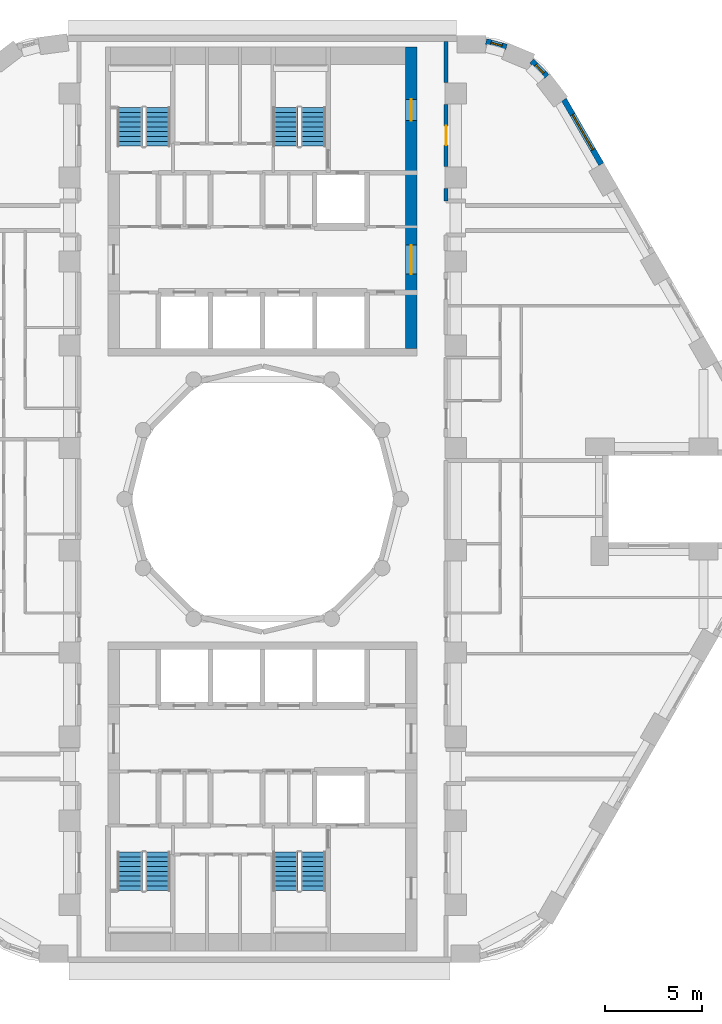
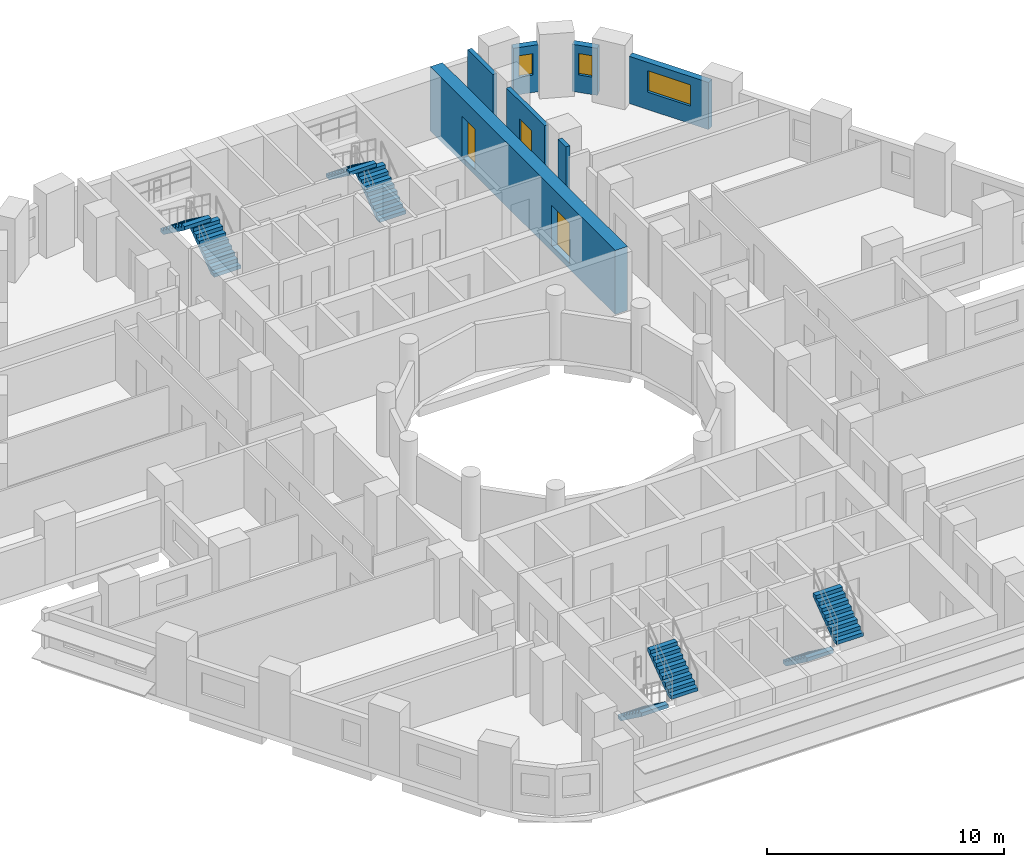
# One storey, part 9 of 13: 8 stair flights, 7 walls, 3 doors, 3 windows, 6 openings, 4 elements without a shape of their own.
"""IFC4 building model written with IfcOpenShell, lengths in metres."""

from ifc_helpers import new_model, si_unit, direction, frame, frame_2d, origin, place, context, subcontext, project, spatial, polyline, rectangle, outline, extrude, material, layer, layer_set, type_object, element, fill, aggregate, save


model = new_model("IFC4")

# Units and contexts
model_context = context("Model", 3, precision=1e-05, world=origin(), true_north=direction((0.0, 1.0)))
body_context = subcontext(model_context, "Body", "Model", "MODEL_VIEW")
ifc_project = project(units=[si_unit("LENGTHUNIT", "METRE"), si_unit("AREAUNIT", "SQUARE_METRE"), si_unit("VOLUMEUNIT", "CUBIC_METRE"), si_unit("PLANEANGLEUNIT", "RADIAN"), si_unit("MASSUNIT", "GRAM", prefix="KILO")], contexts=[model_context])

# Site, building, storey
site_placement = place(None, origin())
site = spatial("IfcSite", under=ifc_project, at=site_placement, CompositionType="ELEMENT")
building_placement = place(site_placement, origin())
building = spatial("IfcBuilding", under=site, at=building_placement, Name="Nakaniwa Court", CompositionType="ELEMENT")
storey_placement = place(building_placement, frame((0.0, 0.0, 48.0)))
storey = spatial("IfcBuildingStorey", under=building, at=storey_placement, Name="L12", CompositionType="ELEMENT", Elevation=48.0)

# Wall
ifc_material_1 = material(Name="Acoustic double stud partition")
ifc_layer_1 = layer(ifc_material_1, 0.199951171875)
ifc_layer_set_1 = layer_set([ifc_layer_1], Name="Acoustic double stud partition")
wall_type_1 = type_object("IfcWallType", Name="Acoustic double stud partition 200", PredefinedType="PARTITIONING", material=ifc_layer_set_1)
wall_1_placement = place(storey_placement, frame((89.5, 95.422119140625, 0.0), z_axis=(0.0, 0.0, 1.0), x_axis=(0.0, 1.0, 0.0)))
element("IfcWall", 1, at=wall_1_placement, inside=storey, type_object=wall_type_1, Name="Partition PW-082", PredefinedType="PARTITIONING", context=body_context, shape_type="SweptSolid", body=[
    extrude(rectangle(XDim=0.660888671875, YDim=0.199951171875, at=frame_2d((0.33056640625, 0.0))), origin(), (0.0, 0.0, 1.0), 3.02490234375),
])

# Wall, opening, door
wall_2_placement = place(storey_placement, frame((89.5, 100.43310546875, 0.0), z_axis=(0.0, 0.0, 1.0), x_axis=(0.0, -1.0, 0.0)))
wall_2 = element("IfcWall", 2, at=wall_2_placement, inside=storey, type_object=wall_type_1, Name="Partition PW-083", PredefinedType="PARTITIONING", context=body_context, shape_type="SweptSolid", body=[
    extrude(rectangle(XDim=3.216064453125, YDim=0.199951171875, at=frame_2d((1.60791015625, 0.0))), origin(), (0.0, 0.0, 1.0), 3.02490234375),
])
opening_1_placement = place(wall_2_placement, frame((1.10791015625, 0.0, 0.0)))
opening_1 = element("IfcOpeningElement", 3, at=opening_1_placement, cuts=wall_2, Name="Opening D-02-02", PredefinedType="OPENING", context=body_context, shape_type="SweptSolid", body=[
    extrude(rectangle(XDim=1.0, YDim=2.10009765625, at=frame_2d((0.5, 1.050048828125))), frame((0.0, 0.10986328125, 0.0), z_axis=(0.0, -1.0, 0.0), x_axis=(1.0, 0.0, 0.0)), (0.0, 0.0, 1.0), 0.219970703125),
])
ifc_material_2 = material(Name="Solid core timber door set, black veneer", Category="wood")
door_type_1 = type_object("IfcDoorType", Name="Internal door 1000", OperationType="NOTDEFINED", PredefinedType="DOOR", material=ifc_material_2)
door_1_placement = place(opening_1_placement, origin())
door_1 = element("IfcDoor", 4, at=door_1_placement, inside=storey, type_object=door_type_1, Name="Door D-02-02 L12-042", OperationType="SINGLE_SWING_LEFT", OverallHeight=2.10009765625, OverallWidth=1.0, PredefinedType="DOOR", context=body_context, shape_type="SweptSolid", body=[
    extrude(rectangle(XDim=1.0, YDim=2.10009765625, at=frame_2d((0.5, 1.050048828125))), frame((0.0, 0.02490234375, 0.0), z_axis=(0.0, -1.0, 0.0), x_axis=(1.0, 0.0, 0.0)), (0.0, 0.0, 1.0), 0.050048828125),
])
fill(opening_1, door_1)

# Wall
wall_3_placement = place(storey_placement, frame((89.5, 101.56689453125, 0.0), z_axis=(0.0, 0.0, 1.0), x_axis=(0.0, 1.0, 0.0)))
element("IfcWall", 5, at=wall_3_placement, inside=storey, type_object=wall_type_1, Name="Partition PW-084", PredefinedType="PARTITIONING", context=body_context, shape_type="SweptSolid", body=[
    extrude(rectangle(XDim=2.133056640625, YDim=0.199951171875, at=frame_2d((1.06640625, 0.0))), origin(), (0.0, 0.0, 1.0), 3.02490234375),
])

# Wall, opening, window
ifc_material_3 = material(Name="Charcoal ceramic cladding")
ifc_layer_2 = layer(ifc_material_3, 0.02, Name="Ceramic cladding")
ifc_material_4 = material(Name="Ventilated air cavity")
ifc_layer_3 = layer(ifc_material_4, 0.04, ventilated=True, Name="Ventilated cavity")
ifc_material_5 = material(Name="Mineral wool insulation")
ifc_layer_4 = layer(ifc_material_5, 0.1, Name="Insulation")
ifc_material_6 = material(Name="Cement bonded sheathing board")
ifc_layer_5 = layer(ifc_material_6, 0.012, Name="Sheathing")
ifc_material_7 = material(Name="Cold-formed galvanised stud frame with mineral wool infill")
ifc_layer_6 = layer(ifc_material_7, 0.1, Name="Stud frame")
ifc_material_8 = material(Name="Fire-rated gypsum plasterboard lining")
ifc_layer_7 = layer(ifc_material_8, 0.028, Name="Lining")
ifc_layer_set_2 = layer_set([ifc_layer_2, ifc_layer_3, ifc_layer_4, ifc_layer_5, ifc_layer_6, ifc_layer_7], Name="Charcoal ceramic faced external wall system")
wall_type_2 = type_object("IfcWallType", Name="Black ceramic faced external wall 300", PredefinedType="SOLIDWALL", material=ifc_layer_set_2)
wall_4_placement = place(storey_placement, frame((97.5322265625, 97.3330078125, 0.0), z_axis=(0.0, 0.0, 1.0), x_axis=(-0.499948341072, 0.866055227026, 0.0)))
wall_4 = element("IfcWall", 6, at=wall_4_placement, inside=storey, type_object=wall_type_2, Name="L12 external wall 05", PredefinedType="SOLIDWALL", context=body_context, shape_type="SweptSolid", body=[
    extrude(rectangle(XDim=3.8671875, YDim=0.300048828125, at=frame_2d((1.93359375, 0.0))), origin(), (0.0, 0.0, 1.0), 2.425048828125),
])
opening_2_placement = place(wall_4_placement, frame((0.872314453125, 0.0, 0.89990234375)))
opening_2 = element("IfcOpeningElement", 7, at=opening_2_placement, cuts=wall_4, Name="Opening W7.07", PredefinedType="OPENING", context=body_context, shape_type="SweptSolid", body=[
    extrude(rectangle(XDim=2.10009765625, YDim=1.10009765625, at=frame_2d((1.050048828125, 0.550048828125))), frame((0.0, 0.159912109375, 0.0), z_axis=(0.0, -1.0, 0.0), x_axis=(1.0, 0.0, 0.0)), (0.0, 0.0, 1.0), 0.320068359375),
])
ifc_material_9 = material(Name="Black anodised aluminium frame with dark low-E laminated double glazing", Category="aluminium")
window_type_1 = type_object("IfcWindowType", Name="Dark glass window 2100x1100 sill 900", PartitioningType="SINGLE_PANEL", PredefinedType="WINDOW", material=ifc_material_9)
window_1_placement = place(opening_2_placement, origin())
window_1 = element("IfcWindow", 8, at=window_1_placement, inside=storey, type_object=window_type_1, Name="L12 habitable room window 05-0", OverallHeight=1.10009765625, OverallWidth=2.10009765625, PartitioningType="SINGLE_PANEL", PredefinedType="WINDOW", context=body_context, shape_type="SweptSolid", body=[
    extrude(rectangle(XDim=2.10009765625, YDim=1.10009765625, at=frame_2d((1.050048828125, 0.550048828125))), frame((0.0, 0.030029296875, 0.0), z_axis=(0.0, -1.0, 0.0), x_axis=(1.0, 0.0, 0.0)), (0.0, 0.0, 1.0), 0.06005859375),
])
fill(opening_2, window_1)

wall_5_placement = place(storey_placement, frame((94.712646484375, 101.8828125, 0.0), z_axis=(0.0, 0.0, 1.0), x_axis=(-0.696138968055, 0.717907053285, 0.0)))
wall_5 = element("IfcWall", 9, at=wall_5_placement, inside=storey, type_object=wall_type_2, Name="L12 external wall 06", PredefinedType="SOLIDWALL", context=body_context, shape_type="SweptSolid", body=[
    extrude(rectangle(XDim=1.1103515625, YDim=0.300048828125, at=frame_2d((0.55517578125, 0.0))), origin(), (0.0, 0.0, 1.0), 2.425048828125),
])
opening_3_placement = place(wall_5_placement, frame((0.230712890625, 0.0, 0.89990234375)))
opening_3 = element("IfcOpeningElement", 10, at=opening_3_placement, cuts=wall_5, Name="Opening W8.08", PredefinedType="OPENING", context=body_context, shape_type="SweptSolid", body=[
    extrude(rectangle(XDim=0.60009765625, YDim=1.10009765625, at=frame_2d((0.300048828125, 0.550048828125))), frame((0.0, 0.159912109375, 0.0), z_axis=(0.0, -1.0, 0.0), x_axis=(1.0, 0.0, 0.0)), (0.0, 0.0, 1.0), 0.320068359375),
])
window_type_2 = type_object("IfcWindowType", Name="Dark glass window 600x1100 sill 900", PartitioningType="SINGLE_PANEL", PredefinedType="WINDOW", material=ifc_material_9)
window_2_placement = place(opening_3_placement, origin())
window_2 = element("IfcWindow", 11, at=window_2_placement, inside=storey, type_object=window_type_2, Name="L12 habitable room window 06-0", OverallHeight=1.10009765625, OverallWidth=0.60009765625, PartitioningType="SINGLE_PANEL", PredefinedType="WINDOW", context=body_context, shape_type="SweptSolid", body=[
    extrude(rectangle(XDim=0.60009765625, YDim=1.10009765625, at=frame_2d((0.300048828125, 0.550048828125))), frame((0.0, 0.030029296875, 0.0), z_axis=(0.0, -1.0, 0.0), x_axis=(1.0, 0.0, 0.0)), (0.0, 0.0, 1.0), 0.06005859375),
])
fill(opening_3, window_2)

wall_6_placement = place(storey_placement, frame((92.62548828125, 103.406982421875, 0.0), z_axis=(0.0, 0.0, 1.0), x_axis=(-0.96522637192, 0.261415475728, 0.0)))
wall_6 = element("IfcWall", 12, at=wall_6_placement, inside=storey, type_object=wall_type_2, Name="L12 external wall 07", PredefinedType="SOLIDWALL", context=body_context, shape_type="SweptSolid", body=[
    extrude(rectangle(XDim=1.0927734375, YDim=0.300048828125, at=frame_2d((0.54638671875, 0.0))), origin(), (0.0, 0.0, 1.0), 2.425048828125),
])
opening_4_placement = place(wall_6_placement, frame((0.236083984375, 0.0, 0.89990234375)))
opening_4 = element("IfcOpeningElement", 13, at=opening_4_placement, cuts=wall_6, Name="Opening W8.09", PredefinedType="OPENING", context=body_context, shape_type="SweptSolid", body=[
    extrude(rectangle(XDim=0.60009765625, YDim=1.10009765625, at=frame_2d((0.300048828125, 0.550048828125))), frame((0.0, 0.159912109375, 0.0), z_axis=(0.0, -1.0, 0.0), x_axis=(1.0, 0.0, 0.0)), (0.0, 0.0, 1.0), 0.320068359375),
])
window_3_placement = place(opening_4_placement, origin())
window_3 = element("IfcWindow", 14, at=window_3_placement, inside=storey, type_object=window_type_2, Name="L12 habitable room window 07-0", OverallHeight=1.10009765625, OverallWidth=0.60009765625, PartitioningType="SINGLE_PANEL", PredefinedType="WINDOW", context=body_context, shape_type="SweptSolid", body=[
    extrude(rectangle(XDim=0.60009765625, YDim=1.10009765625, at=frame_2d((0.300048828125, 0.550048828125))), frame((0.0, 0.030029296875, 0.0), z_axis=(0.0, -1.0, 0.0), x_axis=(1.0, 0.0, 0.0)), (0.0, 0.0, 1.0), 0.06005859375),
])
fill(opening_4, window_3)

# Wall, openings, doors
ifc_material_10 = material(Name="Concrete C100/115", Category="concrete")
ifc_layer_8 = layer(ifc_material_10, 0.60009765625)
ifc_layer_set_3 = layer_set([ifc_layer_8], Name="Concrete C100/115")
wall_type_3 = type_object("IfcWallType", Name="Concrete core side wall 600 C100", PredefinedType="SHEAR", material=ifc_layer_set_3)
wall_7_placement = place(storey_placement, frame((87.699951171875, 103.39990234375, -0.27490234375), z_axis=(0.0, 0.0, 1.0), x_axis=(0.0, -1.0, 0.0)))
wall_7 = element("IfcWall", 15, at=wall_7_placement, inside=storey, type_object=wall_type_3, Name="Core wall SW-15", PredefinedType="SHEAR", context=body_context, shape_type="SweptSolid", body=[
    extrude(rectangle(XDim=15.599853515625, YDim=0.60009765625, at=frame_2d((7.7998046875, 0.0))), origin(), (0.0, 0.0, 1.0), 3.2998046875),
])
opening_5_placement = place(wall_7_placement, frame((10.25, 0.0, 0.27490234375)))
opening_5 = element("IfcOpeningElement", 16, at=opening_5_placement, cuts=wall_7, Name="Opening D-07-01", PredefinedType="OPENING", context=body_context, shape_type="SweptSolid", body=[
    extrude(rectangle(XDim=1.5, YDim=2.10009765625, at=frame_2d((0.75, 1.050048828125))), frame((0.0, 0.31005859375, 0.0), z_axis=(0.0, -1.0, 0.0), x_axis=(1.0, 0.0, 0.0)), (0.0, 0.0, 1.0), 0.6201171875),
])
opening_6_placement = place(wall_7_placement, frame((2.699951171875, 0.0, 0.27490234375)))
opening_6 = element("IfcOpeningElement", 17, at=opening_6_placement, cuts=wall_7, Name="Opening D-10-01", PredefinedType="OPENING", context=body_context, shape_type="SweptSolid", body=[
    extrude(rectangle(XDim=1.10009765625, YDim=2.10009765625, at=frame_2d((0.550048828125, 1.050048828125))), frame((0.0, 0.31005859375, 0.0), z_axis=(0.0, -1.0, 0.0), x_axis=(1.0, 0.0, 0.0)), (0.0, 0.0, 1.0), 0.6201171875),
])
ifc_material_11 = material(Name="Fire rated steel door set", Category="steel")
door_type_2 = type_object("IfcDoorType", Name="Firefighting lobby door 1100", OperationType="NOTDEFINED", PredefinedType="DOOR", material=ifc_material_11)
door_2_placement = place(opening_6_placement, origin())
door_2 = element("IfcDoor", 18, at=door_2_placement, inside=storey, type_object=door_type_2, Name="Door D-10-01 L12-062", OperationType="SINGLE_SWING_LEFT", OverallHeight=2.10009765625, OverallWidth=1.10009765625, PredefinedType="DOOR", context=body_context, shape_type="SweptSolid", body=[
    extrude(rectangle(XDim=1.10009765625, YDim=2.10009765625, at=frame_2d((0.550048828125, 1.050048828125))), frame((0.0, 0.02490234375, 0.0), z_axis=(0.0, -1.0, 0.0), x_axis=(1.0, 0.0, 0.0)), (0.0, 0.0, 1.0), 0.050048828125),
])
fill(opening_6, door_2)
ifc_material_12 = material(Name="Glazed fire rated steel double door set", Category="steel")
door_type_3 = type_object("IfcDoorType", Name="Lobby double door 1500", OperationType="NOTDEFINED", PredefinedType="DOOR", material=ifc_material_12)
door_3_placement = place(opening_5_placement, origin())
door_3 = element("IfcDoor", 19, at=door_3_placement, inside=storey, type_object=door_type_3, Name="Door D-07-01 L12-060", OperationType="DOUBLE_DOOR_SINGLE_SWING", OverallHeight=2.10009765625, OverallWidth=1.5, PredefinedType="DOOR", context=body_context, shape_type="SweptSolid", body=[
    extrude(rectangle(XDim=1.5, YDim=2.10009765625, at=frame_2d((0.75, 1.050048828125))), frame((0.0, 0.02490234375, 0.0), z_axis=(0.0, -1.0, 0.0), x_axis=(1.0, 0.0, 0.0)), (0.0, 0.0, 1.0), 0.050048828125),
])
fill(opening_5, door_3)

# Stair, stair flights
ifc_material_13 = material(Name="Concrete C80/100", Category="concrete")
stair_type = type_object("IfcStairType", Name="Dog leg stair 1300 wide 18 risers", PredefinedType="HALF_TURN_STAIR", material=ifc_material_13)
stair_1_placement = place(storey_placement, origin())
stair_1 = element("IfcStair", 20, at=stair_1_placement, inside=storey, type_object=stair_type, Name="L12 Stair ST1", PredefinedType="HALF_TURN_STAIR")
stair_flight_type = type_object("IfcStairFlightType", Name="Stair flight 1300 wide 9 risers", PredefinedType="STRAIGHT", material=ifc_material_13)
stair_flight_1_placement = place(storey_placement, frame((74.574951171875, 98.27490234375, 0.0), z_axis=(0.0, 0.0, 1.0), x_axis=(0.0, 1.0, 0.0)))
stair_flight_1 = element("IfcStairFlight", 21, at=stair_flight_1_placement, type_object=stair_flight_type, Name="ST1 flight 1", NumberOfRisers=9, NumberOfTreads=8, PredefinedType="STRAIGHT", RiserHeight=0.183333333, TreadLength=0.25, context=body_context, shape_type="SweptSolid", body=[
    extrude(outline(polyline([(0.0, 0.0), (0.0, 0.026123046875), (0.0, 0.052490234375), (0.0, 0.07861328125), (0.0, 0.104736328125), (0.0, 0.130859375), (0.0, 0.1572265625), (0.0, 0.183349609375), (0.25, 0.183349609375), (0.25, 0.36669921875), (0.5, 0.36669921875), (0.5, 0.550048828125), (0.75, 0.550048828125), (0.75, 0.7333984375), (1.0, 0.7333984375), (1.0, 0.916748046875), (1.25, 0.916748046875), (1.25, 1.10009765625), (1.5, 1.10009765625), (1.5, 1.283447265625), (1.75, 1.283447265625), (1.75, 1.466552734375), (2.0, 1.466552734375), (2.0, 1.64990234375), (2.0, 1.59716796875), (2.0, 1.54443359375), (2.0, 1.49169921875), (2.0, 1.43896484375), (2.0, 1.38623046875), (2.0, 1.33349609375), (2.0, 1.28076171875), (0.25341796875, 0.0), (0.0, 0.0)])), frame((0.0, 0.64990234375, 0.0), z_axis=(0.0, -1.0, 0.0), x_axis=(1.0, 0.0, 0.0)), (0.0, 0.0, 1.0), 1.300048828125),
])
stair_flight_2_placement = place(storey_placement, frame((73.125, 100.27490234375, 1.64990234375), z_axis=(0.0, 0.0, 1.0), x_axis=(0.0, -1.0, 0.0)))
stair_flight_2 = element("IfcStairFlight", 22, at=stair_flight_2_placement, type_object=stair_flight_type, Name="ST1 flight 2", NumberOfRisers=9, NumberOfTreads=8, PredefinedType="STRAIGHT", RiserHeight=0.183333333, TreadLength=0.25, context=body_context, shape_type="SweptSolid", body=[
    extrude(outline(polyline([(0.0, 0.0), (0.0, 0.026123046875), (0.0, 0.052490234375), (0.0, 0.07861328125), (0.0, 0.104736328125), (0.0, 0.130859375), (0.0, 0.1572265625), (0.0, 0.183349609375), (0.25, 0.183349609375), (0.25, 0.36669921875), (0.5, 0.36669921875), (0.5, 0.550048828125), (0.75, 0.550048828125), (0.75, 0.7333984375), (1.0, 0.7333984375), (1.0, 0.916748046875), (1.25, 0.916748046875), (1.25, 1.10009765625), (1.5, 1.10009765625), (1.5, 1.283447265625), (1.75, 1.283447265625), (1.75, 1.466552734375), (2.0, 1.466552734375), (2.0, 1.64990234375), (2.0, 1.59716796875), (2.0, 1.54443359375), (2.0, 1.49169921875), (2.0, 1.43896484375), (2.0, 1.38623046875), (2.0, 1.33349609375), (2.0, 1.28076171875), (0.25341796875, 0.0), (0.0, 0.0)])), frame((0.0, 0.64990234375, 0.0), z_axis=(0.0, -1.0, 0.0), x_axis=(1.0, 0.0, 0.0)), (0.0, 0.0, 1.0), 1.300048828125),
])
aggregate(stair_1, [stair_flight_1, stair_flight_2])

stair_2_placement = place(storey_placement, origin())
stair_2 = element("IfcStair", 23, at=stair_2_placement, inside=storey, type_object=stair_type, Name="L12 Stair ST2", PredefinedType="HALF_TURN_STAIR")
stair_flight_3_placement = place(storey_placement, frame((82.625, 98.27490234375, 0.0), z_axis=(0.0, 0.0, 1.0), x_axis=(0.0, 1.0, 0.0)))
stair_flight_3 = element("IfcStairFlight", 24, at=stair_flight_3_placement, type_object=stair_flight_type, Name="ST2 flight 1", NumberOfRisers=9, NumberOfTreads=8, PredefinedType="STRAIGHT", RiserHeight=0.183333333, TreadLength=0.25, context=body_context, shape_type="SweptSolid", body=[
    extrude(outline(polyline([(0.0, 0.0), (0.0, 0.026123046875), (0.0, 0.052490234375), (0.0, 0.07861328125), (0.0, 0.104736328125), (0.0, 0.130859375), (0.0, 0.1572265625), (0.0, 0.183349609375), (0.25, 0.183349609375), (0.25, 0.36669921875), (0.5, 0.36669921875), (0.5, 0.550048828125), (0.75, 0.550048828125), (0.75, 0.7333984375), (1.0, 0.7333984375), (1.0, 0.916748046875), (1.25, 0.916748046875), (1.25, 1.10009765625), (1.5, 1.10009765625), (1.5, 1.283447265625), (1.75, 1.283447265625), (1.75, 1.466552734375), (2.0, 1.466552734375), (2.0, 1.64990234375), (2.0, 1.59716796875), (2.0, 1.54443359375), (2.0, 1.49169921875), (2.0, 1.43896484375), (2.0, 1.38623046875), (2.0, 1.33349609375), (2.0, 1.28076171875), (0.25341796875, 0.0), (0.0, 0.0)])), frame((0.0, 0.64990234375, 0.0), z_axis=(0.0, -1.0, 0.0), x_axis=(1.0, 0.0, 0.0)), (0.0, 0.0, 1.0), 1.300048828125),
])
stair_flight_4_placement = place(storey_placement, frame((81.175048828125, 100.27490234375, 1.64990234375), z_axis=(0.0, 0.0, 1.0), x_axis=(0.0, -1.0, 0.0)))
stair_flight_4 = element("IfcStairFlight", 25, at=stair_flight_4_placement, type_object=stair_flight_type, Name="ST2 flight 2", NumberOfRisers=9, NumberOfTreads=8, PredefinedType="STRAIGHT", RiserHeight=0.183333333, TreadLength=0.25, context=body_context, shape_type="SweptSolid", body=[
    extrude(outline(polyline([(0.0, 0.0), (0.0, 0.026123046875), (0.0, 0.052490234375), (0.0, 0.07861328125), (0.0, 0.104736328125), (0.0, 0.130859375), (0.0, 0.1572265625), (0.0, 0.183349609375), (0.25, 0.183349609375), (0.25, 0.36669921875), (0.5, 0.36669921875), (0.5, 0.550048828125), (0.75, 0.550048828125), (0.75, 0.7333984375), (1.0, 0.7333984375), (1.0, 0.916748046875), (1.25, 0.916748046875), (1.25, 1.10009765625), (1.5, 1.10009765625), (1.5, 1.283447265625), (1.75, 1.283447265625), (1.75, 1.466552734375), (2.0, 1.466552734375), (2.0, 1.64990234375), (2.0, 1.59716796875), (2.0, 1.54443359375), (2.0, 1.49169921875), (2.0, 1.43896484375), (2.0, 1.38623046875), (2.0, 1.33349609375), (2.0, 1.28076171875), (0.25341796875, 0.0), (0.0, 0.0)])), frame((0.0, 0.64990234375, 0.0), z_axis=(0.0, -1.0, 0.0), x_axis=(1.0, 0.0, 0.0)), (0.0, 0.0, 1.0), 1.300048828125),
])
aggregate(stair_2, [stair_flight_3, stair_flight_4])

stair_3_placement = place(storey_placement, origin())
stair_3 = element("IfcStair", 26, at=stair_3_placement, inside=storey, type_object=stair_type, Name="L12 Stair ST3", PredefinedType="HALF_TURN_STAIR")
stair_flight_5_placement = place(storey_placement, frame((73.125, 61.72509765625, 0.0), z_axis=(0.0, 0.0, 1.0), x_axis=(0.0, -1.0, 0.0)))
stair_flight_5 = element("IfcStairFlight", 27, at=stair_flight_5_placement, type_object=stair_flight_type, Name="ST3 flight 1", NumberOfRisers=9, NumberOfTreads=8, PredefinedType="STRAIGHT", RiserHeight=0.183333333, TreadLength=0.25, context=body_context, shape_type="SweptSolid", body=[
    extrude(outline(polyline([(0.0, 0.0), (0.0, 0.026123046875), (0.0, 0.052490234375), (0.0, 0.07861328125), (0.0, 0.104736328125), (0.0, 0.130859375), (0.0, 0.1572265625), (0.0, 0.183349609375), (0.25, 0.183349609375), (0.25, 0.36669921875), (0.5, 0.36669921875), (0.5, 0.550048828125), (0.75, 0.550048828125), (0.75, 0.7333984375), (1.0, 0.7333984375), (1.0, 0.916748046875), (1.25, 0.916748046875), (1.25, 1.10009765625), (1.5, 1.10009765625), (1.5, 1.283447265625), (1.75, 1.283447265625), (1.75, 1.466552734375), (2.0, 1.466552734375), (2.0, 1.64990234375), (2.0, 1.59716796875), (2.0, 1.54443359375), (2.0, 1.49169921875), (2.0, 1.43896484375), (2.0, 1.38623046875), (2.0, 1.33349609375), (2.0, 1.28076171875), (0.25341796875, 0.0), (0.0, 0.0)])), frame((0.0, 0.64990234375, 0.0), z_axis=(0.0, -1.0, 0.0), x_axis=(1.0, 0.0, 0.0)), (0.0, 0.0, 1.0), 1.300048828125),
])
stair_flight_6_placement = place(storey_placement, frame((74.574951171875, 59.72509765625, 1.64990234375), z_axis=(0.0, 0.0, 1.0), x_axis=(0.0, 1.0, 0.0)))
stair_flight_6 = element("IfcStairFlight", 28, at=stair_flight_6_placement, type_object=stair_flight_type, Name="ST3 flight 2", NumberOfRisers=9, NumberOfTreads=8, PredefinedType="STRAIGHT", RiserHeight=0.183333333, TreadLength=0.25, context=body_context, shape_type="SweptSolid", body=[
    extrude(outline(polyline([(0.0, 0.0), (0.0, 0.026123046875), (0.0, 0.052490234375), (0.0, 0.07861328125), (0.0, 0.104736328125), (0.0, 0.130859375), (0.0, 0.1572265625), (0.0, 0.183349609375), (0.25, 0.183349609375), (0.25, 0.36669921875), (0.5, 0.36669921875), (0.5, 0.550048828125), (0.75, 0.550048828125), (0.75, 0.7333984375), (1.0, 0.7333984375), (1.0, 0.916748046875), (1.25, 0.916748046875), (1.25, 1.10009765625), (1.5, 1.10009765625), (1.5, 1.283447265625), (1.75, 1.283447265625), (1.75, 1.466552734375), (2.0, 1.466552734375), (2.0, 1.64990234375), (2.0, 1.59716796875), (2.0, 1.54443359375), (2.0, 1.49169921875), (2.0, 1.43896484375), (2.0, 1.38623046875), (2.0, 1.33349609375), (2.0, 1.28076171875), (0.25341796875, 0.0), (0.0, 0.0)])), frame((0.0, 0.64990234375, 0.0), z_axis=(0.0, -1.0, 0.0), x_axis=(1.0, 0.0, 0.0)), (0.0, 0.0, 1.0), 1.300048828125),
])
aggregate(stair_3, [stair_flight_5, stair_flight_6])

stair_4_placement = place(storey_placement, origin())
stair_4 = element("IfcStair", 29, at=stair_4_placement, inside=storey, type_object=stair_type, Name="L12 Stair ST4", PredefinedType="HALF_TURN_STAIR")
stair_flight_7_placement = place(storey_placement, frame((81.175048828125, 61.72509765625, 0.0), z_axis=(0.0, 0.0, 1.0), x_axis=(0.0, -1.0, 0.0)))
stair_flight_7 = element("IfcStairFlight", 30, at=stair_flight_7_placement, type_object=stair_flight_type, Name="ST4 flight 1", NumberOfRisers=9, NumberOfTreads=8, PredefinedType="STRAIGHT", RiserHeight=0.183333333, TreadLength=0.25, context=body_context, shape_type="SweptSolid", body=[
    extrude(outline(polyline([(0.0, 0.0), (0.0, 0.026123046875), (0.0, 0.052490234375), (0.0, 0.07861328125), (0.0, 0.104736328125), (0.0, 0.130859375), (0.0, 0.1572265625), (0.0, 0.183349609375), (0.25, 0.183349609375), (0.25, 0.36669921875), (0.5, 0.36669921875), (0.5, 0.550048828125), (0.75, 0.550048828125), (0.75, 0.7333984375), (1.0, 0.7333984375), (1.0, 0.916748046875), (1.25, 0.916748046875), (1.25, 1.10009765625), (1.5, 1.10009765625), (1.5, 1.283447265625), (1.75, 1.283447265625), (1.75, 1.466552734375), (2.0, 1.466552734375), (2.0, 1.64990234375), (2.0, 1.59716796875), (2.0, 1.54443359375), (2.0, 1.49169921875), (2.0, 1.43896484375), (2.0, 1.38623046875), (2.0, 1.33349609375), (2.0, 1.28076171875), (0.25341796875, 0.0), (0.0, 0.0)])), frame((0.0, 0.64990234375, 0.0), z_axis=(0.0, -1.0, 0.0), x_axis=(1.0, 0.0, 0.0)), (0.0, 0.0, 1.0), 1.300048828125),
])
stair_flight_8_placement = place(storey_placement, frame((82.625, 59.72509765625, 1.64990234375), z_axis=(0.0, 0.0, 1.0), x_axis=(0.0, 1.0, 0.0)))
stair_flight_8 = element("IfcStairFlight", 31, at=stair_flight_8_placement, type_object=stair_flight_type, Name="ST4 flight 2", NumberOfRisers=9, NumberOfTreads=8, PredefinedType="STRAIGHT", RiserHeight=0.183333333, TreadLength=0.25, context=body_context, shape_type="SweptSolid", body=[
    extrude(outline(polyline([(0.0, 0.0), (0.0, 0.026123046875), (0.0, 0.052490234375), (0.0, 0.07861328125), (0.0, 0.104736328125), (0.0, 0.130859375), (0.0, 0.1572265625), (0.0, 0.183349609375), (0.25, 0.183349609375), (0.25, 0.36669921875), (0.5, 0.36669921875), (0.5, 0.550048828125), (0.75, 0.550048828125), (0.75, 0.7333984375), (1.0, 0.7333984375), (1.0, 0.916748046875), (1.25, 0.916748046875), (1.25, 1.10009765625), (1.5, 1.10009765625), (1.5, 1.283447265625), (1.75, 1.283447265625), (1.75, 1.466552734375), (2.0, 1.466552734375), (2.0, 1.64990234375), (2.0, 1.59716796875), (2.0, 1.54443359375), (2.0, 1.49169921875), (2.0, 1.43896484375), (2.0, 1.38623046875), (2.0, 1.33349609375), (2.0, 1.28076171875), (0.25341796875, 0.0), (0.0, 0.0)])), frame((0.0, 0.64990234375, 0.0), z_axis=(0.0, -1.0, 0.0), x_axis=(1.0, 0.0, 0.0)), (0.0, 0.0, 1.0), 1.300048828125),
])
aggregate(stair_4, [stair_flight_7, stair_flight_8])

save(model, "model.ifc")
